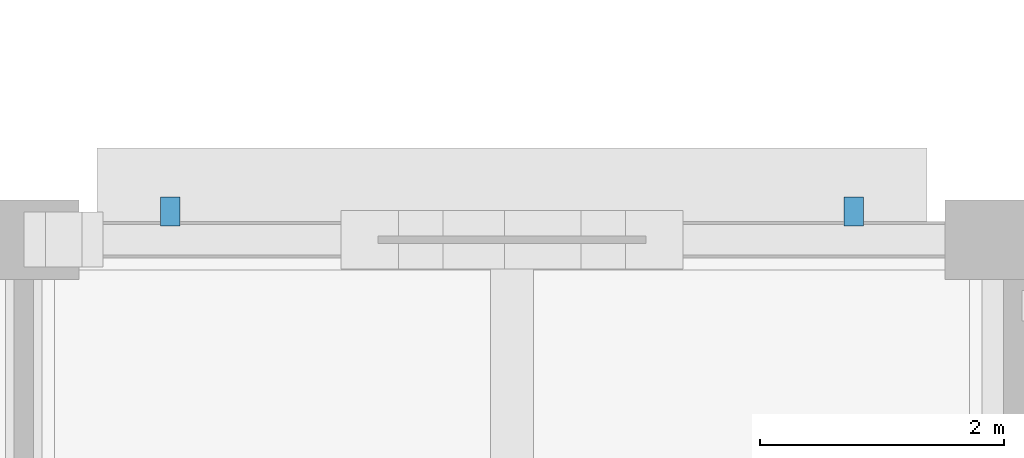
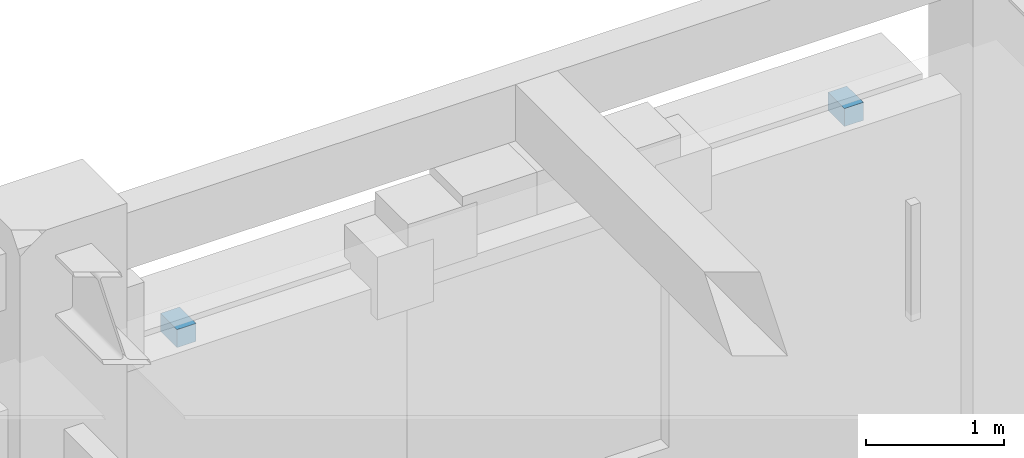
# One storey, part 132 of 144: 2 discrete accessories.
"""IFC4 building model written with IfcOpenShell, lengths in metres."""

from ifc_helpers import new_model, si_unit, direction, frame, origin, origin_2d, place, context, subcontext, project, spatial, rectangle, extrude, material, layer, layer_set, type_object, element, save


model = new_model("IFC4")

# Units and contexts
model_context = context("Model", 3, precision=1e-05, world=origin(), true_north=direction((0.0, 1.0)))
body_context = subcontext(model_context, "Body", "Model", "MODEL_VIEW")
ifc_project = project(units=[si_unit("LENGTHUNIT", "METRE"), si_unit("AREAUNIT", "SQUARE_METRE"), si_unit("VOLUMEUNIT", "CUBIC_METRE"), si_unit("PLANEANGLEUNIT", "RADIAN"), si_unit("MASSUNIT", "GRAM", prefix="KILO")], contexts=[model_context])

# Site, building, storey
site_placement = place(None, origin())
site = spatial("IfcSite", under=ifc_project, at=site_placement, CompositionType="ELEMENT")
building_placement = place(site_placement, origin())
building = spatial("IfcBuilding", under=site, at=building_placement, Name="Varnabhumi Central Station", CompositionType="ELEMENT")
storey_placement = place(building_placement, frame((0.0, 0.0, 4.800048828125)))
storey = spatial("IfcBuildingStorey", under=building, at=storey_placement, Name="L01", CompositionType="ELEMENT", Elevation=4.800048828125)

# Discrete accessories
ifc_material = material(Name="Structural steel E350", Category="steel")
ifc_layer = layer(ifc_material, 0.159912109375, Name="Structural steel E350", Category="steel")
ifc_layer_set = layer_set([ifc_layer], Name="Structural steel E350")
discrete_accessory_type = type_object("IfcDiscreteAccessoryType", Name="ACC-SHADE-BRKT", PredefinedType="BRACKET", material=ifc_layer_set)
for number, where, z_axis, x_axis, name in (
    (1, (121.199951171875, 116.22998046875, 3.02001953125), (0.0, 0.0, 1.0), (1.0, 0.0, 0.0), "Chajja Bracket N-L01-16L"),
    (2, (126.800048828125, 116.22998046875, 3.02001953125), (0.0, 0.0, 1.0), (1.0, 0.0, 0.0), "Chajja Bracket N-L01-16R"),
):
    element("IfcDiscreteAccessory", number, at=place(storey_placement, frame(where, z_axis=z_axis, x_axis=x_axis)), inside=storey, type_object=discrete_accessory_type, Name=name, PredefinedType="BRACKET", context=body_context, shape_type="SweptSolid", body=[
        extrude(rectangle(XDim=0.159912109375, YDim=0.239990234375, at=origin_2d()), origin(), (0.0, 0.0, 1.0), 0.159912109375),
    ])

save(model, "model.ifc")
